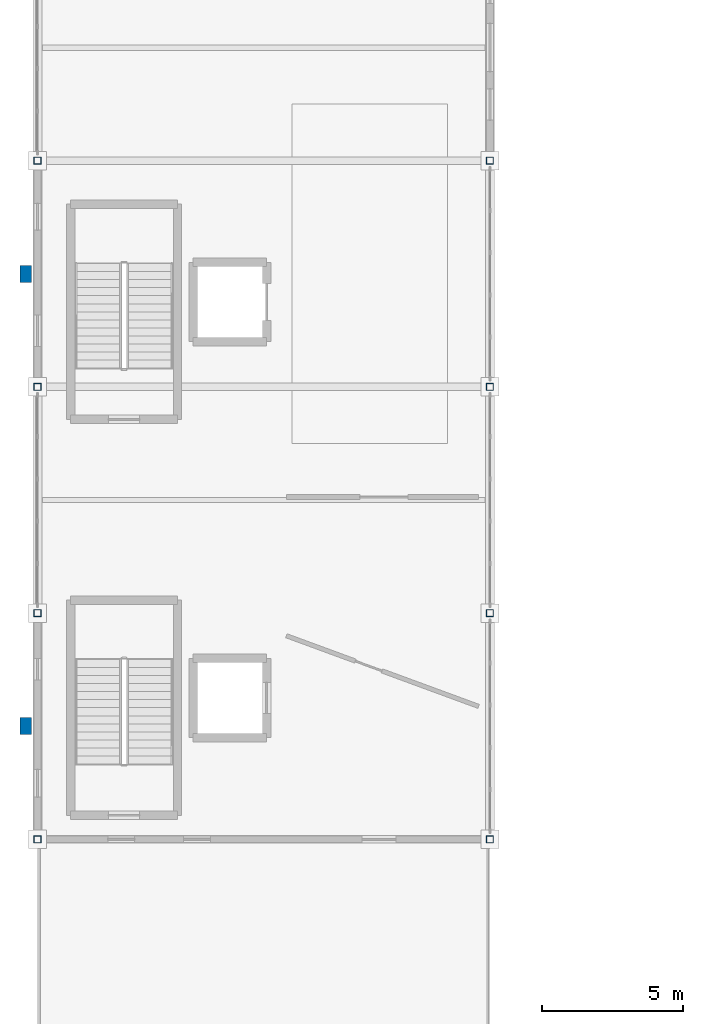
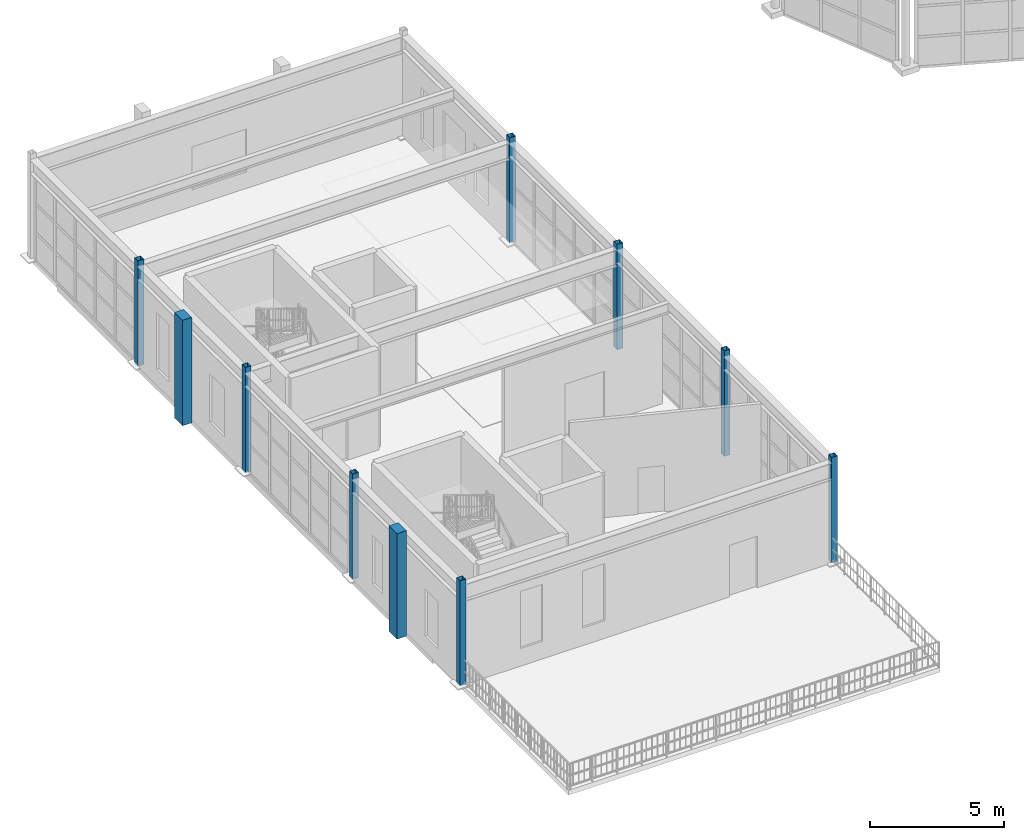
# One storey, part 1 of 61: 10 columns.
"""IFC4 building model written with IfcOpenShell, lengths in metres."""

from ifc_helpers import new_model, si_unit, direction, frame, origin, origin_2d, place, context, subcontext, project, spatial, rectangle, hollow_rectangle, extrude, material, material_profile, profile_set, type_object, element, save


model = new_model("IFC4")

# Units and contexts
model_context = context("Model", 3, precision=1e-05, world=origin(), true_north=direction((0.0, 1.0)))
body_context = subcontext(model_context, "Body", "Model", "MODEL_VIEW")
ifc_project = project(units=[si_unit("LENGTHUNIT", "METRE"), si_unit("AREAUNIT", "SQUARE_METRE"), si_unit("VOLUMEUNIT", "CUBIC_METRE"), si_unit("PLANEANGLEUNIT", "RADIAN"), si_unit("MASSUNIT", "GRAM", prefix="KILO")], contexts=[model_context])

# Site, building, storey
site_placement = place(None, origin())
site = spatial("IfcSite", under=ifc_project, at=site_placement, CompositionType="ELEMENT")
building_placement = place(site_placement, origin())
building = spatial("IfcBuilding", under=site, at=building_placement, Name="Serraluz Foothill Cableway Terminal", CompositionType="ELEMENT")
storey_placement = place(building_placement, frame((0.0, 0.0, 15.0)))
storey = spatial("IfcBuildingStorey", under=building, at=storey_placement, Name="L03", CompositionType="ELEMENT", Elevation=15.0)

# Columns
ifc_material_1 = material(Name="Steel ASTM A572 Grade 50", Category="steel")
ifc_material_profile_1 = material_profile(ifc_material_1, hollow_rectangle(XDim=0.25, YDim=0.25, WallThickness=0.011962890625, at=origin_2d()), Name="HSS250X250X12")
ifc_profile_set_1 = profile_set([ifc_material_profile_1], Name="Steel ASTM A572 Grade 50")
column_type_1 = type_object("IfcColumnType", Name="TYP-COL-HSS250", PredefinedType="COLUMN", material=ifc_profile_set_1)
for number, where, z_axis, x_axis, name in (
    (1, (0.0, 32.0, 0.0), (0.0, 0.0, 1.0), (1.0, 0.0, 0.0), "Column COL-V5-0-32-L03"),
    (2, (16.0, 32.0, 0.0), (0.0, 0.0, 1.0), (1.0, 0.0, 0.0), "Column COL-V5-16-32-L03"),
    (3, (0.0, 40.0, 0.0), (0.0, 0.0, 1.0), (1.0, 0.0, 0.0), "Column COL-V5-0-40-L03"),
    (4, (16.0, 40.0, 0.0), (0.0, 0.0, 1.0), (1.0, 0.0, 0.0), "Column COL-V5-16-40-L03"),
    (5, (0.0, 48.0, 0.0), (0.0, 0.0, 1.0), (1.0, 0.0, 0.0), "Column COL-V5-0-48-L03"),
    (6, (16.0, 48.0, 0.0), (0.0, 0.0, 1.0), (1.0, 0.0, 0.0), "Column COL-V5-16-48-L03"),
    (7, (0.0, 56.0, 0.0), (0.0, 0.0, 1.0), (1.0, 0.0, 0.0), "Column COL-V5-0-56-L03"),
    (8, (16.0, 56.0, 0.0), (0.0, 0.0, 1.0), (1.0, 0.0, 0.0), "Column COL-V5-16-56-L03"),
):
    element("IfcColumn", number, at=place(storey_placement, frame(where, z_axis=z_axis, x_axis=x_axis)), inside=storey, type_object=column_type_1, Name=name, PredefinedType="COLUMN", context=body_context, shape_type="SweptSolid", body=[
        extrude(hollow_rectangle(XDim=0.25, YDim=0.25, WallThickness=0.011962890625, at=origin_2d()), origin(), (0.0, 0.0, 1.0), 4.800048828125),
    ])
ifc_material_2 = material(Name="Fired clay masonry brick (f'm 12 MPa)", Category="masonry")
ifc_material_profile_2 = material_profile(ifc_material_2, rectangle(XDim=0.39990234375, YDim=0.60009765625, at=origin_2d()), Name="PIL 400x600")
ifc_profile_set_2 = profile_set([ifc_material_profile_2], Name="Fired clay masonry brick (f'm 12 MPa)")
column_type_2 = type_object("IfcColumnType", Name="TYP-PIL-400X600", PredefinedType="PILASTER", material=ifc_profile_set_2)
for number, where, z_axis, x_axis, name in (
    (9, (-0.419921875, 36.0, 0.0), (0.0, 0.0, 1.0), (1.0, 0.0, 0.0), "Brick Pilaster Pier PL-40 L03"),
    (10, (-0.419921875, 52.0, 0.0), (0.0, 0.0, 1.0), (1.0, 0.0, 0.0), "Brick Pilaster Pier PL-41 L03"),
):
    element("IfcColumn", number, at=place(storey_placement, frame(where, z_axis=z_axis, x_axis=x_axis)), inside=storey, type_object=column_type_2, Name=name, PredefinedType="PILASTER", context=body_context, shape_type="SweptSolid", body=[
        extrude(rectangle(XDim=0.39990234375, YDim=0.60009765625, at=origin_2d()), origin(), (0.0, 0.0, 1.0), 4.800048828125),
    ])

save(model, "model.ifc")
